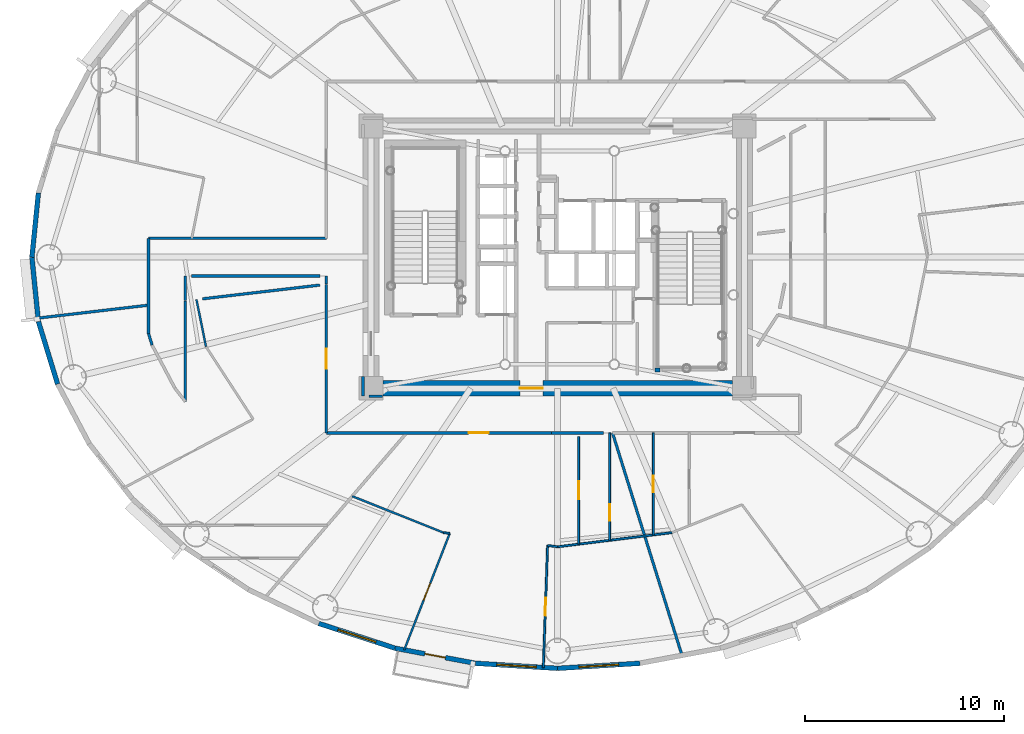
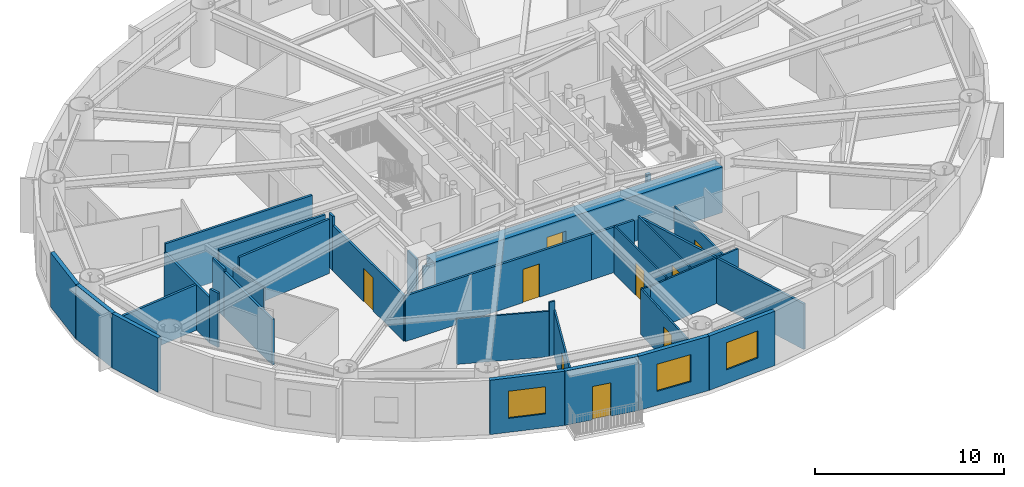
# One storey, part 6 of 17: 34 walls, 9 doors, 3 windows, 12 openings.
"""IFC4 building model written with IfcOpenShell, lengths in metres."""

import ifcopenshell
import ifcopenshell.guid

model = None  # the IFC model being written
_history = None  # IfcOwnerHistory: only IFC2X3 demands one
_inside = {}  # id of a spatial element -> (the spatial element, [elements in it])
_under = {}  # id of a project, library or spatial element -> (it, [spatial elements below it])
_declared = {}  # id of a project -> (the project, [libraries it declares])
_typed = {}  # id of a type object -> (the type object, [elements of that type])
_made_of = {}  # id of a material, layer set ... -> (it, [elements and type objects made of it])


def new_model(schema):
    """Start an empty IFC model of exactly this schema.

    Asked for "IFC4X3", IfcOpenShell would pick the latest addendum, in which some entities
    have other attributes; the version numbers below select the first issue.
    IFC2X3 requires an IfcOwnerHistory on every rooted entity: one is made here for all.
    """
    global model, _history
    if schema == "IFC4X3":
        model = ifcopenshell.file(schema_version=(4, 3, 0, 0))
    else:
        model = ifcopenshell.file(schema=schema)
    _inside.clear()
    _under.clear()
    _declared.clear()
    _typed.clear()
    _made_of.clear()
    _history = None
    if model.schema == "IFC2X3":
        org = make("IfcOrganization", Name="unknown")
        user = make(
            "IfcPersonAndOrganization",
            ThePerson=make("IfcPerson", FamilyName="unknown"),
            TheOrganization=org,
        )
        app = make(
            "IfcApplication",
            ApplicationDeveloper=org,
            Version="unknown",
            ApplicationFullName="unknown",
            ApplicationIdentifier="unknown",
        )
        _history = make(
            "IfcOwnerHistory",
            OwningUser=user,
            OwningApplication=app,
            ChangeAction="ADDED",
            CreationDate=0,
        )
    return model


def make(cls, **values):
    """One entity of the class cls with the attributes given. An attribute that is None is left unset."""
    return model.create_entity(
        cls, **{name: value for name, value in values.items() if value is not None}
    )


def rooted(cls, **values):
    """An entity with a GlobalId (a new one), such as an element, a storey or a relation."""
    return make(cls, GlobalId=ifcopenshell.guid.new(), OwnerHistory=_history, **values)


def si_unit(unit_type, name, prefix=None):
    """IfcSIUnit, for example si_unit("LENGTHUNIT", "METRE", prefix="MILLI")."""
    return make("IfcSIUnit", UnitType=unit_type, Prefix=prefix, Name=name)


def assignment(units):
    """IfcUnitAssignment: the units of a project."""
    return None if units is None else make("IfcUnitAssignment", Units=units)


def point(xyz):
    """IfcCartesianPoint."""
    return None if xyz is None else make("IfcCartesianPoint", Coordinates=xyz)


def direction(xyz):
    """IfcDirection."""
    return None if xyz is None else make("IfcDirection", DirectionRatios=xyz)


def frame(location, z_axis=None, x_axis=None):
    """IfcAxis2Placement3D, a coordinate frame: its origin and axes. An axis left out is left unset."""
    return make(
        "IfcAxis2Placement3D",
        Location=point(location),
        Axis=direction(z_axis),
        RefDirection=direction(x_axis),
    )


def frame_2d(location, x_axis=None):
    """IfcAxis2Placement2D, a coordinate frame in the plane: its origin and x axis."""
    return make(
        "IfcAxis2Placement2D", Location=point(location), RefDirection=direction(x_axis)
    )


def origin():
    """The frame at (0, 0, 0) with its axes left unset."""
    return frame((0.0, 0.0, 0.0))


def origin_2d():
    """The frame at (0, 0) in the plane with its x axis left unset."""
    return frame_2d((0.0, 0.0))


def place(relative_to, where):
    """IfcLocalPlacement: puts the frame where relative to a parent placement (None: the world)."""
    return make(
        "IfcLocalPlacement", PlacementRelTo=relative_to, RelativePlacement=where
    )


def context(
    kind, dimensions, precision=None, world=None, true_north=None, identifier=None
):
    """IfcGeometricRepresentationContext, for example the 3D "Model" context."""
    return make(
        "IfcGeometricRepresentationContext",
        ContextIdentifier=identifier,
        ContextType=kind,
        CoordinateSpaceDimension=dimensions,
        Precision=precision,
        WorldCoordinateSystem=world,
        TrueNorth=true_north,
    )


def subcontext(parent, identifier, kind, view, scale=None):
    """IfcGeometricRepresentationSubContext, for example "Body" below "Model"."""
    return make(
        "IfcGeometricRepresentationSubContext",
        ContextIdentifier=identifier,
        ContextType=kind,
        ParentContext=parent,
        TargetScale=scale,
        TargetView=view,
    )


def project(units=None, contexts=None):
    """IfcProject with its units and contexts."""
    return rooted(
        "IfcProject",
        Name="project",
        RepresentationContexts=contexts,
        UnitsInContext=assignment(units),
    )


def spatial(cls, under=None, at=None, **own):
    """A site, building, storey or space (cls), placed at a placement, below another one or the project."""
    s = rooted(cls, ObjectPlacement=at, **own)
    if under is not None:
        _under.setdefault(under.id(), (under, []))[1].append(s)
    return s


def profile(cls, at=None, kind="AREA", **sizes):
    """A parametric profile (cls). Its sizes go by their IFC names, for example OverallWidth=200.0."""
    return make(cls, ProfileType=kind, Position=at, **sizes)


def rectangle(**sizes):
    """IfcRectangleProfileDef."""
    return profile("IfcRectangleProfileDef", **sizes)


def extrude(swept, where, along, depth):
    """IfcExtrudedAreaSolid: the profile swept, set in the frame where, extruded along a direction by depth."""
    return make(
        "IfcExtrudedAreaSolid",
        SweptArea=swept,
        Position=where,
        ExtrudedDirection=direction(along),
        Depth=depth,
    )


def shape(context_of_items, identifier, shape_type, items):
    """IfcShapeRepresentation: the items that make up one representation, for example the "Body"."""
    return make(
        "IfcShapeRepresentation",
        ContextOfItems=context_of_items,
        RepresentationIdentifier=identifier,
        RepresentationType=shape_type,
        Items=items,
    )


def source(mapping_origin, context_of_items, identifier, shape_type, items):
    """IfcRepresentationMap: a shape defined once, which mapped items show again and again."""
    return make(
        "IfcRepresentationMap",
        MappingOrigin=mapping_origin,
        MappedRepresentation=shape(context_of_items, identifier, shape_type, items),
    )


def transform(
    local_origin,
    x_axis=None,
    y_axis=None,
    z_axis=None,
    scale=None,
    scale2=None,
    scale3=None,
    uniform=True,
):
    """IfcCartesianTransformationOperator3D, or its non-uniform kind. x_axis, y_axis, z_axis: its Axis1, 2, 3."""
    if uniform:
        return make(
            "IfcCartesianTransformationOperator3D",
            Axis1=direction(x_axis),
            Axis2=direction(y_axis),
            LocalOrigin=point(local_origin),
            Scale=scale,
            Axis3=direction(z_axis),
        )
    return make(
        "IfcCartesianTransformationOperator3DnonUniform",
        Axis1=direction(x_axis),
        Axis2=direction(y_axis),
        LocalOrigin=point(local_origin),
        Scale=scale,
        Axis3=direction(z_axis),
        Scale2=scale2,
        Scale3=scale3,
    )


def mapped(mapping_source, mapping_target):
    """IfcMappedItem: shows the shape of a source again, moved by a transform."""
    return make(
        "IfcMappedItem", MappingSource=mapping_source, MappingTarget=mapping_target
    )


def material(Name=None, Category=None):
    """IfcMaterial."""
    return make("IfcMaterial", Name=Name, Category=Category)


def layer(
    of_material, thickness, ventilated=None, Name=None, Category=None, Priority=None
):
    """IfcMaterialLayer: one layer of a wall or slab, of a material (None: an air gap)."""
    return make(
        "IfcMaterialLayer",
        Material=of_material,
        LayerThickness=thickness,
        IsVentilated=ventilated,
        Name=Name,
        Category=Category,
        Priority=Priority,
    )


def layer_set(layers, Name=None):
    """IfcMaterialLayerSet."""
    return make("IfcMaterialLayerSet", MaterialLayers=layers, LayerSetName=Name)


def made_of(thing, what):
    """Note that an element or type object is made of a material, layer set ...; save() writes the relation."""
    if what is not None:
        _made_of.setdefault(what.id(), (what, []))[1].append(thing)
    return thing


def type_object(cls, material=None, **own):
    """A type object (cls), such as IfcWallType, which elements share."""
    return made_of(rooted(cls, **own), material)


def element(
    cls,
    number,
    at=None,
    inside=None,
    cuts=None,
    type_object=None,
    material=None,
    context=None,
    identifier="Body",
    shape_type=None,
    held_by="IfcProductDefinitionShape",
    body=None,
    shapes=None,
    **own,
):
    """One element of the class cls, such as IfcWall. Its Tag is "e" and its number.

    at: its placement. inside: the storey or other place that contains it. cuts: it is an
    opening in that element (IfcRelVoidsElement). A single representation is given by context,
    identifier, shape_type and body (its items); several are given by shapes. held_by: the class
    of the entity that holds the representations. save() writes the other relations.
    """
    e = rooted(cls, Tag="e%d" % number, ObjectPlacement=at, **own)
    if body is not None:
        shapes = [shape(context, identifier, shape_type, body)]
    if shapes is not None:
        e.Representation = make(held_by, Representations=shapes)
    if inside is not None:
        _inside.setdefault(inside.id(), (inside, []))[1].append(e)
    if cuts is not None:
        rooted(
            "IfcRelVoidsElement", RelatingBuildingElement=cuts, RelatedOpeningElement=e
        )
    if type_object is not None:
        _typed.setdefault(type_object.id(), (type_object, []))[1].append(e)
    return made_of(e, material)


def fill(opening, filler):
    """IfcRelFillsElement: the door or window that sits in an opening."""
    return rooted(
        "IfcRelFillsElement",
        RelatingOpeningElement=opening,
        RelatedBuildingElement=filler,
    )


def aggregate(whole, parts):
    """IfcRelAggregates: a whole, such as a stair, and the parts it consists of."""
    return rooted("IfcRelAggregates", RelatingObject=whole, RelatedObjects=parts)


def save(model, path):
    """Write the relations noted so far, then the file.

    IfcRelAggregates (storeys below a building ...), IfcRelContainedInSpatialStructure (elements
    in a storey), IfcRelDefinesByType, IfcRelAssociatesMaterial and IfcRelDeclares: one each for
    every whole, place, type object, material and project.
    """
    for whole, parts in _under.values():
        aggregate(whole, parts)
    for where, things in _inside.values():
        rooted(
            "IfcRelContainedInSpatialStructure",
            RelatedElements=things,
            RelatingStructure=where,
        )
    for kind, things in _typed.values():
        rooted("IfcRelDefinesByType", RelatedObjects=things, RelatingType=kind)
    for what, things in _made_of.values():
        rooted("IfcRelAssociatesMaterial", RelatedObjects=things, RelatingMaterial=what)
    for by, libraries in _declared.values():
        rooted("IfcRelDeclares", RelatingContext=by, RelatedDefinitions=libraries)
    model.write(path)


model = new_model("IFC4")

# Units and contexts
model_context = context("Model", 3, precision=1e-05, world=origin(), true_north=direction((0.0, 1.0)))
body_context = subcontext(model_context, "Body", "Model", "MODEL_VIEW")
ifc_project = project(units=[si_unit("LENGTHUNIT", "METRE"), si_unit("AREAUNIT", "SQUARE_METRE"), si_unit("VOLUMEUNIT", "CUBIC_METRE"), si_unit("PLANEANGLEUNIT", "RADIAN"), si_unit("MASSUNIT", "GRAM", prefix="KILO")], contexts=[model_context])

# Site, building, storey
site_placement = place(None, origin())
site = spatial("IfcSite", under=ifc_project, at=site_placement, CompositionType="ELEMENT")
building_placement = place(site_placement, origin())
building = spatial("IfcBuilding", under=site, at=building_placement, Name="Linh Dai School and Residence Tower", CompositionType="ELEMENT")
storey_placement = place(building_placement, frame((0.0, 0.0, 182.39990234375)))
storey = spatial("IfcBuildingStorey", under=building, at=storey_placement, Name="L44", CompositionType="ELEMENT", Elevation=182.39990234375)

# Walls
ifc_material_1 = material(Name="Precast Concrete B45 (C35/45)", Category="concrete")
ifc_layer_1 = layer(ifc_material_1, 0.239990234375)
ifc_layer_set_1 = layer_set([ifc_layer_1], Name="Precast Concrete B45 (C35/45)")
wall_type_1 = type_object("IfcWallType", Name="EW-TC-240", PredefinedType="SOLIDWALL", material=ifc_layer_set_1)
for number, where, z_axis, x_axis, name in (
    (1, (9.52490234375, 27.0, 0.0), (0.0, 0.0, 1.0), (0.100061534614, 0.994981250723, 0.0), "L44 Terracotta Exterior Wall 20"),
    (2, (9.85009765625, 23.766357421875, 0.0), (0.0, 0.0, 1.0), (-0.100061534614, 0.994981250723, 0.0), "L44 Terracotta Exterior Wall 21"),
):
    element("IfcWall", number, at=place(storey_placement, frame(where, z_axis=z_axis, x_axis=x_axis)), inside=storey, type_object=wall_type_1, Name=name, PredefinedType="SOLIDWALL", context=body_context, shape_type="SweptSolid", body=[
        extrude(rectangle(XDim=3.25, YDim=0.239990234375, at=frame_2d((1.625, 0.0))), origin(), (0.0, 0.0, 1.0), 3.5),
    ])
wall_1_placement = place(storey_placement, frame((10.8173828125, 20.611083984375, 0.0), z_axis=(0.0, 0.0, 1.0), x_axis=(-0.293097995113, 0.956082405058, 0.0)))
element("IfcWall", 3, at=wall_1_placement, inside=storey, type_object=wall_type_1, Name="L44 Terracotta Exterior Wall 22", PredefinedType="SOLIDWALL", context=body_context, shape_type="SweptSolid", body=[
    extrude(rectangle(XDim=3.30029296875, YDim=0.239990234375, at=frame_2d((1.650146484375, 0.0))), origin(), (0.0, 0.0, 1.0), 3.5),
])

# Wall, opening, window
wall_2_placement = place(storey_placement, frame((27.81103515625, 7.310546875, 0.0), z_axis=(0.0, 0.0, 1.0), x_axis=(-0.951209870236, 0.30854462038, 0.0)))
wall_2 = element("IfcWall", 4, at=wall_2_placement, inside=storey, type_object=wall_type_1, Name="L44 Terracotta Exterior Wall 28", PredefinedType="SOLIDWALL", context=body_context, shape_type="SweptSolid", body=[
    extrude(rectangle(XDim=4.037841796875, YDim=0.239990234375, at=frame_2d((2.01904296875, 0.0))), origin(), (0.0, 0.0, 1.0), 3.5),
])
opening_1_placement = place(wall_2_placement, frame((1.018798828125, 0.0, 0.89990234375)))
opening_1 = element("IfcOpeningElement", 5, at=opening_1_placement, cuts=wall_2, Name="Opening W1", PredefinedType="OPENING", context=body_context, shape_type="SweptSolid", body=[
    extrude(rectangle(XDim=2.0, YDim=1.75, at=origin_2d()), frame((1.0, 0.1298828125, 0.875), z_axis=(0.0, -1.0, 0.0), x_axis=(1.0, 0.0, 0.0)), (0.0, 0.0, 1.0), 0.260009765625),
])
ifc_material_2 = material(Name="Double Low-E Insulated Glazing", Category="glass")
window_type = type_object("IfcWindowType", Name="WN-RES-2000x1750", PartitioningType="DOUBLE_PANEL_VERTICAL", PredefinedType="WINDOW", material=ifc_material_2)
shared_shape_1 = source(origin(), body_context, "Body", "SweptSolid", [
    extrude(rectangle(XDim=2.0, YDim=1.75, at=origin_2d()), frame((1.0, 0.030029296875, 0.875), z_axis=(0.0, -1.0, 0.0), x_axis=(1.0, 0.0, 0.0)), (0.0, 0.0, 1.0), 0.06005859375),
])
window_1_placement = place(opening_1_placement, origin())
window_1 = element("IfcWindow", 6, at=window_1_placement, inside=storey, type_object=window_type, Name="L44 Exterior Window 28.1", OverallHeight=1.75, OverallWidth=2.0, PartitioningType="DOUBLE_PANEL_VERTICAL", PredefinedType="WINDOW", context=body_context, shape_type="MappedRepresentation", body=[
    mapped(shared_shape_1, transform((0.0, 0.0, 0.0), x_axis=(1.0, 0.0, 0.0), y_axis=(0.0, 1.0, 0.0), z_axis=(0.0, 0.0, 1.0), scale=1.0)),
])
fill(opening_1, window_1)

# Wall, opening, door
wall_3_placement = place(storey_placement, frame((31.854248046875, 6.550537109375, 0.0), z_axis=(0.0, 0.0, 1.0), x_axis=(-0.982788108205, 0.184736391573, 0.0)))
wall_3 = element("IfcWall", 7, at=wall_3_placement, inside=storey, type_object=wall_type_1, Name="L44 Terracotta Exterior Wall 29", PredefinedType="SOLIDWALL", context=body_context, shape_type="SweptSolid", body=[
    extrude(rectangle(XDim=4.114013671875, YDim=0.239990234375, at=frame_2d((2.05712890625, 0.0))), origin(), (0.0, 0.0, 1.0), 3.5),
])
opening_2_placement = place(wall_3_placement, frame((1.531982421875, 0.0, 0.0)))
opening_2 = element("IfcOpeningElement", 8, at=opening_2_placement, cuts=wall_3, Name="Opening BD1", PredefinedType="OPENING", context=body_context, shape_type="SweptSolid", body=[
    extrude(rectangle(XDim=1.050048828125, YDim=2.14990234375, at=origin_2d()), frame((0.52490234375, 0.1298828125, 1.074951171875), z_axis=(0.0, -1.0, 0.0), x_axis=(1.0, 0.0, 0.0)), (0.0, 0.0, 1.0), 0.260009765625),
])
ifc_material_3 = material(Name="Double-Glazed Balcony Door", Category="glass")
door_type_1 = type_object("IfcDoorType", Name="DR-BALC-1050x2150", OperationType="NOTDEFINED", PredefinedType="DOOR", material=ifc_material_3)
shared_shape_2 = source(origin(), body_context, "Body", "SweptSolid", [
    extrude(rectangle(XDim=1.050048828125, YDim=2.14990234375, at=origin_2d()), frame((0.52490234375, 0.02490234375, 1.074951171875), z_axis=(0.0, -1.0, 0.0), x_axis=(1.0, 0.0, 0.0)), (0.0, 0.0, 1.0), 0.050048828125),
])
door_1_placement = place(opening_2_placement, origin())
door_1 = element("IfcDoor", 9, at=door_1_placement, inside=storey, type_object=door_type_1, Name="L44 Glazed Balcony Door 29", OperationType="SINGLE_SWING_LEFT", OverallHeight=2.14990234375, OverallWidth=1.050048828125, PredefinedType="DOOR", context=body_context, shape_type="MappedRepresentation", body=[
    mapped(shared_shape_2, transform((0.0, 0.0, 0.0), x_axis=(1.0, 0.0, 0.0), y_axis=(0.0, 1.0, 0.0), z_axis=(0.0, 0.0, 1.0), scale=1.0)),
])
fill(opening_2, door_1)

# Wall, opening, window
wall_4_placement = place(storey_placement, frame((36.0, 6.294921875, 0.0), z_axis=(0.0, 0.0, 1.0), x_axis=(-0.998104600619, 0.061540281305, 0.0)))
wall_4 = element("IfcWall", 10, at=wall_4_placement, inside=storey, type_object=wall_type_1, Name="L44 Terracotta Exterior Wall 30", PredefinedType="SOLIDWALL", context=body_context, shape_type="SweptSolid", body=[
    extrude(rectangle(XDim=4.153564453125, YDim=0.239990234375, at=frame_2d((2.07666015625, 0.0))), origin(), (0.0, 0.0, 1.0), 3.5),
])
opening_3_placement = place(wall_4_placement, frame((1.076904296875, 0.0, 0.89990234375)))
opening_3 = element("IfcOpeningElement", 11, at=opening_3_placement, cuts=wall_4, Name="Opening W1", PredefinedType="OPENING", context=body_context, shape_type="SweptSolid", body=[
    extrude(rectangle(XDim=2.0, YDim=1.75, at=origin_2d()), frame((1.0, 0.1298828125, 0.875), z_axis=(0.0, -1.0, 0.0), x_axis=(1.0, 0.0, 0.0)), (0.0, 0.0, 1.0), 0.260009765625),
])
window_2_placement = place(opening_3_placement, origin())
window_2 = element("IfcWindow", 12, at=window_2_placement, inside=storey, type_object=window_type, Name="L44 Exterior Window 30.1", OverallHeight=1.75, OverallWidth=2.0, PartitioningType="DOUBLE_PANEL_VERTICAL", PredefinedType="WINDOW", context=body_context, shape_type="MappedRepresentation", body=[
    mapped(shared_shape_1, transform((0.0, 0.0, 0.0), x_axis=(1.0, 0.0, 0.0), y_axis=(0.0, 1.0, 0.0), z_axis=(0.0, 0.0, 1.0), scale=1.0)),
])
fill(opening_3, window_2)

wall_5_placement = place(storey_placement, frame((40.145751953125, 6.550537109375, 0.0), z_axis=(0.0, 0.0, 1.0), x_axis=(-0.998104600619, -0.061540281305, 0.0)))
wall_5 = element("IfcWall", 13, at=wall_5_placement, inside=storey, type_object=wall_type_1, Name="L44 Terracotta Exterior Wall 31", PredefinedType="SOLIDWALL", context=body_context, shape_type="SweptSolid", body=[
    extrude(rectangle(XDim=4.153564453125, YDim=0.239990234375, at=frame_2d((2.07666015625, 0.0))), origin(), (0.0, 0.0, 1.0), 3.5),
])
opening_4_placement = place(wall_5_placement, frame((1.076904296875, 0.0, 0.89990234375)))
opening_4 = element("IfcOpeningElement", 14, at=opening_4_placement, cuts=wall_5, Name="Opening W1", PredefinedType="OPENING", context=body_context, shape_type="SweptSolid", body=[
    extrude(rectangle(XDim=2.0, YDim=1.75, at=origin_2d()), frame((1.0, 0.1298828125, 0.875), z_axis=(0.0, -1.0, 0.0), x_axis=(1.0, 0.0, 0.0)), (0.0, 0.0, 1.0), 0.260009765625),
])
window_3_placement = place(opening_4_placement, origin())
window_3 = element("IfcWindow", 15, at=window_3_placement, inside=storey, type_object=window_type, Name="L44 Exterior Window 31.1", OverallHeight=1.75, OverallWidth=2.0, PartitioningType="DOUBLE_PANEL_VERTICAL", PredefinedType="WINDOW", context=body_context, shape_type="MappedRepresentation", body=[
    mapped(shared_shape_1, transform((0.0, 0.0, 0.0), x_axis=(1.0, 0.0, 0.0), y_axis=(0.0, 1.0, 0.0), z_axis=(0.0, 0.0, 1.0), scale=1.0)),
])
fill(opening_4, window_3)

# Walls
ifc_material_4 = material(Name="Autoclaved Aerated Concrete Blockwork", Category="masonry")
ifc_layer_2 = layer(ifc_material_4, 0.135009765625)
ifc_layer_set_2 = layer_set([ifc_layer_2], Name="Autoclaved Aerated Concrete Blockwork")
wall_type_2 = type_object("IfcWallType", Name="IW-CORR-135-EI90", PredefinedType="PARTITIONING", material=ifc_layer_set_2)
wall_6_placement = place(storey_placement, frame((9.828369140625, 23.932861328125, 0.0), z_axis=(0.0, 0.0, 1.0), x_axis=(0.993205157511, 0.116376608877, 0.0)))
element("IfcWall", 16, at=wall_6_placement, inside=storey, type_object=wall_type_2, Name="L44 Interior Partition Wall 001", PredefinedType="PARTITIONING", context=body_context, shape_type="SweptSolid", body=[
    extrude(rectangle(XDim=5.609619140625, YDim=0.135009765625, at=frame_2d((2.8046875, 0.0))), origin(), (0.0, 0.0, 1.0), 2.93505859375),
])
wall_7_placement = place(storey_placement, frame((15.39990234375, 23.14599609375, 0.0), z_axis=(0.0, 0.0, 1.0), x_axis=(0.0, 1.0, 0.0)))
element("IfcWall", 17, at=wall_7_placement, inside=storey, type_object=wall_type_2, Name="L44 Interior Partition Wall 007", PredefinedType="PARTITIONING", context=body_context, shape_type="SweptSolid", body=[
    extrude(rectangle(XDim=4.803955078125, YDim=0.135009765625, at=frame_2d((2.40185546875, 0.0))), origin(), (0.0, 0.0, 1.0), 2.93505859375),
])
wall_8_placement = place(storey_placement, frame((15.39990234375, 23.14599609375, 0.0), z_axis=(0.0, 0.0, 1.0), x_axis=(0.293335154151, -0.956009669061, 0.0)))
element("IfcWall", 18, at=wall_8_placement, inside=storey, type_object=wall_type_2, Name="L44 Interior Partition Wall 008", PredefinedType="PARTITIONING", context=body_context, shape_type="SweptSolid", body=[
    extrude(rectangle(XDim=0.59423828125, YDim=0.135009765625, at=frame_2d((0.297119140625, 0.0))), origin(), (0.0, 0.0, 1.0), 3.5),
])
wall_9_placement = place(storey_placement, frame((15.39990234375, 27.949951171875, 0.0), z_axis=(0.0, 0.0, 1.0), x_axis=(1.0, 0.0, 0.0)))
element("IfcWall", 19, at=wall_9_placement, inside=storey, type_object=wall_type_2, Name="L44 Interior Partition Wall 009", PredefinedType="PARTITIONING", context=body_context, shape_type="SweptSolid", body=[
    extrude(rectangle(XDim=8.9501953125, YDim=0.135009765625, at=frame_2d((4.47509765625, 0.0))), origin(), (0.0, 0.0, 1.0), 3.5),
])
wall_10_placement = place(storey_placement, frame((17.25, 19.734375, 0.0), z_axis=(0.0, 0.0, 1.0), x_axis=(0.0, 1.0, 0.0)))
element("IfcWall", 20, at=wall_10_placement, inside=storey, type_object=wall_type_2, Name="L44 Interior Partition Wall 013", PredefinedType="PARTITIONING", context=body_context, shape_type="SweptSolid", body=[
    extrude(rectangle(XDim=5.068359375, YDim=0.135009765625, at=frame_2d((2.5341796875, 0.0))), origin(), (0.0, 0.0, 1.0), 2.93505859375),
])

# Wall, opening, door
wall_11_placement = place(storey_placement, frame((24.35009765625, 18.14990234375, 0.0), z_axis=(0.0, 0.0, 1.0), x_axis=(0.0, 1.0, 0.0)))
wall_11 = element("IfcWall", 21, at=wall_11_placement, inside=storey, type_object=wall_type_2, Name="L44 Interior Partition Wall 021", PredefinedType="PARTITIONING", context=body_context, shape_type="SweptSolid", body=[
    extrude(rectangle(XDim=7.48486328125, YDim=0.135009765625, at=frame_2d((3.742431640625, 0.0))), origin(), (0.0, 0.0, 1.0), 2.93505859375),
])
opening_5_placement = place(wall_11_placement, frame((3.2421875, 0.0, 0.0)))
opening_5 = element("IfcOpeningElement", 22, at=opening_5_placement, cuts=wall_11, Name="Opening D03", PredefinedType="OPENING", context=body_context, shape_type="SweptSolid", body=[
    extrude(rectangle(XDim=1.0, YDim=2.14990234375, at=origin_2d()), frame((0.5, 0.07763671875, 1.074951171875), z_axis=(0.0, -1.0, 0.0), x_axis=(1.0, 0.0, 0.0)), (0.0, 0.0, 1.0), 0.155029296875),
])
ifc_material_5 = material(Name="Fire-Rated Solid Timber Entrance Door", Category="wood")
door_type_2 = type_object("IfcDoorType", Name="DR-FLAT-1000x2150-FD60S", OperationType="NOTDEFINED", PredefinedType="DOOR", material=ifc_material_5)
shared_shape_3 = source(origin(), body_context, "Body", "SweptSolid", [
    extrude(rectangle(XDim=1.0, YDim=2.14990234375, at=origin_2d()), frame((0.5, 0.02490234375, 1.074951171875), z_axis=(0.0, -1.0, 0.0), x_axis=(1.0, 0.0, 0.0)), (0.0, 0.0, 1.0), 0.050048828125),
])
door_2_placement = place(opening_5_placement, origin())
door_2 = element("IfcDoor", 23, at=door_2_placement, inside=storey, type_object=door_type_2, Name="L44 U4404 Apartment Entrance Door", OperationType="SINGLE_SWING_RIGHT", OverallHeight=2.14990234375, OverallWidth=1.0, PredefinedType="DOOR", context=body_context, shape_type="MappedRepresentation", body=[
    mapped(shared_shape_3, transform((0.0, 0.0, 0.0), x_axis=(1.0, 0.0, 0.0), y_axis=(0.0, 1.0, 0.0), z_axis=(0.0, 0.0, 1.0), scale=1.0)),
])
fill(opening_5, door_2)

wall_12_placement = place(storey_placement, frame((24.35009765625, 18.14990234375, 0.0), z_axis=(0.0, 0.0, 1.0), x_axis=(1.0, 0.0, 0.0)))
wall_12 = element("IfcWall", 24, at=wall_12_placement, inside=storey, type_object=wall_type_2, Name="L44 Interior Partition Wall 022", PredefinedType="PARTITIONING", context=body_context, shape_type="SweptSolid", body=[
    extrude(rectangle(XDim=11.3408203125, YDim=0.135009765625, at=frame_2d((5.67041015625, 0.0))), origin(), (0.0, 0.0, 1.0), 2.93505859375),
])
opening_6_placement = place(wall_12_placement, frame((7.17138671875, 0.0, 0.0)))
opening_6 = element("IfcOpeningElement", 25, at=opening_6_placement, cuts=wall_12, Name="Opening D03", PredefinedType="OPENING", context=body_context, shape_type="SweptSolid", body=[
    extrude(rectangle(XDim=1.0, YDim=2.14990234375, at=origin_2d()), frame((0.5, 0.07763671875, 1.074951171875), z_axis=(0.0, -1.0, 0.0), x_axis=(1.0, 0.0, 0.0)), (0.0, 0.0, 1.0), 0.155029296875),
])
door_3_placement = place(opening_6_placement, origin())
door_3 = element("IfcDoor", 26, at=door_3_placement, inside=storey, type_object=door_type_2, Name="L44 U4405 Apartment Entrance Door", OperationType="SINGLE_SWING_RIGHT", OverallHeight=2.14990234375, OverallWidth=1.0, PredefinedType="DOOR", context=body_context, shape_type="MappedRepresentation", body=[
    mapped(shared_shape_3, transform((0.0, 0.0, 0.0), x_axis=(1.0, 0.0, 0.0), y_axis=(0.0, 1.0, 0.0), z_axis=(0.0, 0.0, 1.0), scale=1.0)),
])
fill(opening_6, door_3)

# Walls
wall_13_placement = place(storey_placement, frame((38.763671875, 18.14990234375, 0.0), z_axis=(0.0, 0.0, 1.0), x_axis=(0.298084348379, -0.954539533624, 0.0)))
element("IfcWall", 27, at=wall_13_placement, inside=storey, type_object=wall_type_2, Name="L44 Interior Partition Wall 064", PredefinedType="PARTITIONING", context=body_context, shape_type="SweptSolid", body=[
    extrude(rectangle(XDim=11.739990234375, YDim=0.135009765625, at=frame_2d((5.8701171875, 0.0))), origin(), (0.0, 0.0, 1.0), 2.93505859375),
])
wall_14_placement = place(storey_placement, frame((17.25, 26.050048828125, 0.0), z_axis=(0.0, 0.0, 1.0), x_axis=(0.0, -1.0, 0.0)))
element("IfcWall", 28, at=wall_14_placement, inside=storey, type_object=wall_type_2, Name="L44 Interior Partition Wall 105", PredefinedType="PARTITIONING", context=body_context, shape_type="SweptSolid", body=[
    extrude(rectangle(XDim=1.237548828125, YDim=0.135009765625, at=frame_2d((0.61865234375, 0.0))), origin(), (0.0, 0.0, 1.0), 3.085205078125),
])
wall_15_placement = place(storey_placement, frame((26.199951171875, 20.989990234375, 0.0), z_axis=(0.0, 0.0, 1.0), x_axis=(0.0, -1.0, 0.0)))
element("IfcWall", 29, at=wall_15_placement, inside=storey, type_object=wall_type_2, Name="L44 Interior Partition Wall 111", PredefinedType="PARTITIONING", context=body_context, shape_type="SweptSolid", body=[
    extrude(rectangle(XDim=0.989990234375, YDim=0.135009765625, at=frame_2d((0.4951171875, 0.0))), origin(), (0.0, 0.0, 1.0), 3.5),
])
wall_16_placement = place(storey_placement, frame((26.507568359375, 20.0, 0.0), z_axis=(0.0, 0.0, 1.0), x_axis=(1.0, 0.0, 0.0)))
element("IfcWall", 30, at=wall_16_placement, inside=storey, type_object=wall_type_2, Name="L44 Interior Partition Wall 112", PredefinedType="PARTITIONING", context=body_context, shape_type="SweptSolid", body=[
    extrude(rectangle(XDim=0.682373046875, YDim=0.135009765625, at=frame_2d((0.34130859375, 0.0))), origin(), (0.0, 0.0, 1.0), 2.93505859375),
])
wall_17_placement = place(storey_placement, frame((38.305908203125, 18.14990234375, 0.0), z_axis=(0.0, 0.0, 1.0), x_axis=(-1.0, 0.0, 0.0)))
element("IfcWall", 31, at=wall_17_placement, inside=storey, type_object=wall_type_2, Name="L44 Interior Partition Wall 114", PredefinedType="PARTITIONING", context=body_context, shape_type="SweptSolid", body=[
    extrude(rectangle(XDim=2.60498046875, YDim=0.135009765625, at=frame_2d((1.302490234375, 0.0))), origin(), (0.0, 0.0, 1.0), 2.93505859375),
])
wall_18_placement = place(storey_placement, frame((24.35009765625, 25.644775390625, 0.0), z_axis=(0.0, 0.0, 1.0), x_axis=(0.0, 1.0, 0.0)))
element("IfcWall", 32, at=wall_18_placement, inside=storey, type_object=wall_type_2, Name="L44 Interior Partition Wall 115", PredefinedType="PARTITIONING", context=body_context, shape_type="SweptSolid", body=[
    extrude(rectangle(XDim=0.4052734375, YDim=0.135009765625, at=frame_2d((0.20263671875, 0.0))), origin(), (0.0, 0.0, 1.0), 3.5),
])
wall_19_placement = place(storey_placement, frame((24.04248046875, 26.050048828125, 0.0), z_axis=(0.0, 0.0, 1.0), x_axis=(-1.0, 0.0, 0.0)))
element("IfcWall", 33, at=wall_19_placement, inside=storey, type_object=wall_type_2, Name="L44 Interior Partition Wall 116", PredefinedType="PARTITIONING", context=body_context, shape_type="SweptSolid", body=[
    extrude(rectangle(XDim=6.48486328125, YDim=0.135009765625, at=frame_2d((3.242431640625, 0.0))), origin(), (0.0, 0.0, 1.0), 3.5),
])
wall_20_placement = place(storey_placement, frame((18.1201171875, 24.904541015625, 0.0), z_axis=(0.0, 0.0, 1.0), x_axis=(0.993204061109, 0.116385965632, 0.0)))
element("IfcWall", 34, at=wall_20_placement, inside=storey, type_object=wall_type_2, Name="L44 Interior Partition Wall 118", PredefinedType="PARTITIONING", context=body_context, shape_type="SweptSolid", body=[
    extrude(rectangle(XDim=5.942626953125, YDim=0.135009765625, at=frame_2d((2.97119140625, 0.0))), origin(), (0.0, 0.0, 1.0), 3.5),
])
ifc_material_6 = material(Name="Concrete B45 (C35/45)", Category="concrete")
ifc_layer_3 = layer(ifc_material_6, 0.199951171875)
ifc_layer_set_3 = layer_set([ifc_layer_3], Name="Concrete B45 (C35/45)")
wall_type_3 = type_object("IfcWallType", Name="IW-SHAFT-200-EI120", PredefinedType="PARTITIONING", material=ifc_layer_set_3)
wall_21_placement = place(storey_placement, frame((40.89990234375, 21.330078125, 0.0), z_axis=(0.0, 0.0, 1.0), x_axis=(1.0, 0.0, 0.0)))
element("IfcWall", 35, at=wall_21_placement, inside=storey, type_object=wall_type_3, Name="L44 Interior Partition Wall 074", PredefinedType="PARTITIONING", context=body_context, shape_type="SweptSolid", body=[
    extrude(rectangle(XDim=0.25, YDim=0.199951171875, at=frame_2d((0.125, 0.0))), origin(), (0.0, 0.0, 1.0), 3.03515625),
])
ifc_material_7 = material(Name="Gypsum Plasterboard Acoustic Stud Partition", Category="masonry")
ifc_layer_4 = layer(ifc_material_7, 0.10009765625)
ifc_layer_set_4 = layer_set([ifc_layer_4], Name="Gypsum Plasterboard Acoustic Stud Partition")
wall_type_4 = type_object("IfcWallType", Name="IW-UNIT-100", PredefinedType="PARTITIONING", material=ifc_layer_set_4)
wall_22_placement = place(storey_placement, frame((17.81103515625, 24.868408203125, 0.0), z_axis=(0.0, 0.0, 1.0), x_axis=(0.198247700743, -0.980151952072, 0.0)))
element("IfcWall", 36, at=wall_22_placement, inside=storey, type_object=wall_type_4, Name="L44 Interior Partition Wall 015", PredefinedType="PARTITIONING", context=body_context, shape_type="SweptSolid", body=[
    extrude(rectangle(XDim=2.42236328125, YDim=0.10009765625, at=frame_2d((1.211181640625, 0.0))), origin(), (0.0, 0.0, 1.0), 2.93505859375),
])
wall_23_placement = place(storey_placement, frame((25.654052734375, 14.96484375, 0.0), z_axis=(0.0, 0.0, 1.0), x_axis=(0.928793067963, -0.370598754589, 0.0)))
element("IfcWall", 37, at=wall_23_placement, inside=storey, type_object=wall_type_4, Name="L44 Interior Partition Wall 026", PredefinedType="PARTITIONING", context=body_context, shape_type="SweptSolid", body=[
    extrude(rectangle(XDim=4.944091796875, YDim=0.10009765625, at=frame_2d((2.47216796875, 0.0))), origin(), (0.0, 0.0, 1.0), 2.93505859375),
])

# Wall, opening, door
wall_24_placement = place(storey_placement, frame((28.27099609375, 7.218994140625, 0.0), z_axis=(0.0, 0.0, 1.0), x_axis=(0.363936593544, 0.931423725207, 0.0)))
wall_24 = element("IfcWall", 38, at=wall_24_placement, inside=storey, type_object=wall_type_4, Name="L44 Interior Partition Wall 028", PredefinedType="PARTITIONING", context=body_context, shape_type="SweptSolid", body=[
    extrude(rectangle(XDim=6.306396484375, YDim=0.10009765625, at=frame_2d((3.1533203125, 0.0))), origin(), (0.0, 0.0, 1.0), 2.93505859375),
])
opening_7_placement = place(wall_24_placement, frame((2.703125, 0.0, 0.0)))
opening_7 = element("IfcOpeningElement", 39, at=opening_7_placement, cuts=wall_24, Name="Opening D05", PredefinedType="OPENING", context=body_context, shape_type="SweptSolid", body=[
    extrude(rectangle(XDim=0.89990234375, YDim=2.10009765625, at=origin_2d()), frame((0.449951171875, 0.06005859375, 1.050048828125), z_axis=(0.0, -1.0, 0.0), x_axis=(1.0, 0.0, 0.0)), (0.0, 0.0, 1.0), 0.1201171875),
])
ifc_material_8 = material(Name="Engineered Timber Internal Door", Category="wood")
door_type_3 = type_object("IfcDoorType", Name="DR-INT-900x2100", OperationType="NOTDEFINED", PredefinedType="DOOR", material=ifc_material_8)
shared_shape_4 = source(origin(), body_context, "Body", "SweptSolid", [
    extrude(rectangle(XDim=0.89990234375, YDim=2.10009765625, at=origin_2d()), frame((0.449951171875, 0.02490234375, 1.050048828125), z_axis=(0.0, -1.0, 0.0), x_axis=(1.0, 0.0, 0.0)), (0.0, 0.0, 1.0), 0.050048828125),
])
door_4_placement = place(opening_7_placement, origin())
door_4 = element("IfcDoor", 40, at=door_4_placement, inside=storey, type_object=door_type_3, Name="L44 Apartment U4405 Principal Bedroom 1 Door", OperationType="SINGLE_SWING_LEFT", OverallHeight=2.10009765625, OverallWidth=0.89990234375, PredefinedType="DOOR", context=body_context, shape_type="MappedRepresentation", body=[
    mapped(shared_shape_4, transform((0.0, 0.0, 0.0), x_axis=(1.0, 0.0, 0.0), y_axis=(0.0, 1.0, 0.0), z_axis=(0.0, 0.0, 1.0), scale=1.0)),
])
fill(opening_7, door_4)

# Wall
wall_25_placement = place(storey_placement, frame((30.24609375, 13.132568359375, 0.0), z_axis=(0.0, 0.0, 1.0), x_axis=(0.992451589144, -0.122637038475, 0.0)))
element("IfcWall", 41, at=wall_25_placement, inside=storey, type_object=wall_type_4, Name="L44 Interior Partition Wall 030", PredefinedType="PARTITIONING", context=body_context, shape_type="SweptSolid", body=[
    extrude(rectangle(XDim=0.322509765625, YDim=0.10009765625, at=frame_2d((0.1611328125, 0.0))), origin(), (0.0, 0.0, 1.0), 3.5),
])

# Wall, opening, door
wall_26_placement = place(storey_placement, frame((35.2783203125, 6.33447265625, 0.0), z_axis=(0.0, 0.0, 1.0), x_axis=(0.034887406989, 0.999391249128, 0.0)))
wall_26 = element("IfcWall", 42, at=wall_26_placement, inside=storey, type_object=wall_type_4, Name="L44 Interior Partition Wall 046", PredefinedType="PARTITIONING", context=body_context, shape_type="SweptSolid", body=[
    extrude(rectangle(XDim=6.151123046875, YDim=0.10009765625, at=frame_2d((3.07568359375, 0.0))), origin(), (0.0, 0.0, 1.0), 2.93505859375),
])
opening_8_placement = place(wall_26_placement, frame((2.62548828125, 0.0, 0.0)))
opening_8 = element("IfcOpeningElement", 43, at=opening_8_placement, cuts=wall_26, Name="Opening D05", PredefinedType="OPENING", context=body_context, shape_type="SweptSolid", body=[
    extrude(rectangle(XDim=0.89990234375, YDim=2.10009765625, at=origin_2d()), frame((0.449951171875, 0.06005859375, 1.050048828125), z_axis=(0.0, -1.0, 0.0), x_axis=(1.0, 0.0, 0.0)), (0.0, 0.0, 1.0), 0.1201171875),
])
door_5_placement = place(opening_8_placement, origin())
door_5 = element("IfcDoor", 44, at=door_5_placement, inside=storey, type_object=door_type_3, Name="L44 Apartment U4405 Bedroom 2 Door", OperationType="SINGLE_SWING_RIGHT", OverallHeight=2.10009765625, OverallWidth=0.89990234375, PredefinedType="DOOR", context=body_context, shape_type="MappedRepresentation", body=[
    mapped(shared_shape_4, transform((0.0, 0.0, 0.0), x_axis=(1.0, 0.0, 0.0), y_axis=(0.0, 1.0, 0.0), z_axis=(0.0, 0.0, 1.0), scale=1.0)),
])
fill(opening_8, door_5)

# Walls
wall_27_placement = place(storey_placement, frame((35.492919921875, 12.48193359375, 0.0), z_axis=(0.0, 0.0, 1.0), x_axis=(0.992373140554, -0.123270231229, 0.0)))
element("IfcWall", 45, at=wall_27_placement, inside=storey, type_object=wall_type_4, Name="L44 Interior Partition Wall 051", PredefinedType="PARTITIONING", context=body_context, shape_type="SweptSolid", body=[
    extrude(rectangle(XDim=0.510986328125, YDim=0.10009765625, at=frame_2d((0.25537109375, 0.0))), origin(), (0.0, 0.0, 1.0), 2.93505859375),
])
wall_28_placement = place(storey_placement, frame((36.0, 12.4189453125, 0.0), z_axis=(0.0, 0.0, 1.0), x_axis=(0.992396615981, 0.123081097612, 0.0)))
element("IfcWall", 46, at=wall_28_placement, inside=storey, type_object=wall_type_4, Name="L44 Interior Partition Wall 054", PredefinedType="PARTITIONING", context=body_context, shape_type="SweptSolid", body=[
    extrude(rectangle(XDim=5.798095703125, YDim=0.10009765625, at=frame_2d((2.89892578125, 0.0))), origin(), (0.0, 0.0, 1.0), 2.93505859375),
])

# Wall, opening, door
wall_29_placement = place(storey_placement, frame((37.060546875, 12.550537109375, 0.0), z_axis=(0.0, 0.0, 1.0), x_axis=(0.0, 1.0, 0.0)))
wall_29 = element("IfcWall", 47, at=wall_29_placement, inside=storey, type_object=wall_type_4, Name="L44 Interior Partition Wall 058", PredefinedType="PARTITIONING", context=body_context, shape_type="SweptSolid", body=[
    extrude(rectangle(XDim=5.415771484375, YDim=0.10009765625, at=frame_2d((2.7080078125, 0.0))), origin(), (0.0, 0.0, 1.0), 3.085205078125),
])
opening_9_placement = place(wall_29_placement, frame((2.2578125, 0.0, 0.0)))
opening_9 = element("IfcOpeningElement", 48, at=opening_9_placement, cuts=wall_29, Name="Opening D05", PredefinedType="OPENING", context=body_context, shape_type="SweptSolid", body=[
    extrude(rectangle(XDim=0.89990234375, YDim=2.10009765625, at=origin_2d()), frame((0.449951171875, 0.06005859375, 1.050048828125), z_axis=(0.0, -1.0, 0.0), x_axis=(1.0, 0.0, 0.0)), (0.0, 0.0, 1.0), 0.1201171875),
])
door_6_placement = place(opening_9_placement, origin())
door_6 = element("IfcDoor", 49, at=door_6_placement, inside=storey, type_object=door_type_3, Name="L44 Apartment U4405 Kitchen Door", OperationType="SINGLE_SWING_LEFT", OverallHeight=2.10009765625, OverallWidth=0.89990234375, PredefinedType="DOOR", context=body_context, shape_type="MappedRepresentation", body=[
    mapped(shared_shape_4, transform((0.0, 0.0, 0.0), x_axis=(1.0, 0.0, 0.0), y_axis=(0.0, 1.0, 0.0), z_axis=(0.0, 0.0, 1.0), scale=1.0)),
])
fill(opening_9, door_6)

wall_30_placement = place(storey_placement, frame((38.615966796875, 12.743408203125, 0.0), z_axis=(0.0, 0.0, 1.0), x_axis=(0.0, 1.0, 0.0)))
wall_30 = element("IfcWall", 50, at=wall_30_placement, inside=storey, type_object=wall_type_4, Name="L44 Interior Partition Wall 063", PredefinedType="PARTITIONING", context=body_context, shape_type="SweptSolid", body=[
    extrude(rectangle(XDim=5.406494140625, YDim=0.10009765625, at=frame_2d((2.703125, 0.0))), origin(), (0.0, 0.0, 1.0), 3.085205078125),
])
opening_10_placement = place(wall_30_placement, frame((0.9892578125, 0.0, 0.0)))
opening_10 = element("IfcOpeningElement", 51, at=opening_10_placement, cuts=wall_30, Name="Opening D06", PredefinedType="OPENING", context=body_context, shape_type="SweptSolid", body=[
    extrude(rectangle(XDim=0.820068359375, YDim=2.10009765625, at=origin_2d()), frame((0.41015625, 0.06005859375, 1.050048828125), z_axis=(0.0, -1.0, 0.0), x_axis=(1.0, 0.0, 0.0)), (0.0, 0.0, 1.0), 0.1201171875),
])
ifc_material_9 = material(Name="Moisture-Resistant Timber Bathroom Door", Category="wood")
door_type_4 = type_object("IfcDoorType", Name="DR-WET-820x2100", OperationType="NOTDEFINED", PredefinedType="DOOR", material=ifc_material_9)
shared_shape_5 = source(origin(), body_context, "Body", "SweptSolid", [
    extrude(rectangle(XDim=0.820068359375, YDim=2.10009765625, at=origin_2d()), frame((0.41015625, 0.02490234375, 1.050048828125), z_axis=(0.0, -1.0, 0.0), x_axis=(1.0, 0.0, 0.0)), (0.0, 0.0, 1.0), 0.050048828125),
])
door_7_placement = place(opening_10_placement, origin())
door_7 = element("IfcDoor", 52, at=door_7_placement, inside=storey, type_object=door_type_4, Name="L44 Apartment U4405 Bathroom 1 Door", OperationType="SINGLE_SWING_RIGHT", OverallHeight=2.10009765625, OverallWidth=0.820068359375, PredefinedType="DOOR", context=body_context, shape_type="MappedRepresentation", body=[
    mapped(shared_shape_5, transform((0.0, 0.0, 0.0), x_axis=(1.0, 0.0, 0.0), y_axis=(0.0, 1.0, 0.0), z_axis=(0.0, 0.0, 1.0), scale=1.0)),
])
fill(opening_10, door_7)

wall_31_placement = place(storey_placement, frame((40.818603515625, 13.0166015625, 0.0), z_axis=(0.0, 0.0, 1.0), x_axis=(0.0, 1.0, 0.0)))
wall_31 = element("IfcWall", 53, at=wall_31_placement, inside=storey, type_object=wall_type_4, Name="L44 Interior Partition Wall 072", PredefinedType="PARTITIONING", context=body_context, shape_type="SweptSolid", body=[
    extrude(rectangle(XDim=5.13330078125, YDim=0.10009765625, at=frame_2d((2.566650390625, 0.0))), origin(), (0.0, 0.0, 1.0), 2.93505859375),
])
opening_11_placement = place(wall_31_placement, frame((2.15673828125, 0.0, 0.0)))
opening_11 = element("IfcOpeningElement", 54, at=opening_11_placement, cuts=wall_31, Name="Opening D06", PredefinedType="OPENING", context=body_context, shape_type="SweptSolid", body=[
    extrude(rectangle(XDim=0.820068359375, YDim=2.10009765625, at=origin_2d()), frame((0.41015625, 0.06005859375, 1.050048828125), z_axis=(0.0, -1.0, 0.0), x_axis=(1.0, 0.0, 0.0)), (0.0, 0.0, 1.0), 0.1201171875),
])
door_8_placement = place(opening_11_placement, origin())
door_8 = element("IfcDoor", 55, at=door_8_placement, inside=storey, type_object=door_type_4, Name="L44 Apartment U4406 Bathroom 1 Door", OperationType="SINGLE_SWING_LEFT", OverallHeight=2.10009765625, OverallWidth=0.820068359375, PredefinedType="DOOR", context=body_context, shape_type="MappedRepresentation", body=[
    mapped(shared_shape_5, transform((0.0, 0.0, 0.0), x_axis=(1.0, 0.0, 0.0), y_axis=(0.0, 1.0, 0.0), z_axis=(0.0, 0.0, 1.0), scale=1.0)),
])
fill(opening_11, door_8)

ifc_material_10 = material(Name="Concrete B60 (C50/60)", Category="concrete")
ifc_layer_5 = layer(ifc_material_10, 0.800048828125)
ifc_layer_set_5 = layer_set([ifc_layer_5], Name="Concrete B60 (C50/60)")
wall_type_5 = type_object("IfcWallType", Name="WL-CORE800", PredefinedType="SHEAR", material=ifc_layer_set_5)
wall_32_placement = place(storey_placement, frame((44.800048828125, 20.39990234375, 0.0), z_axis=(0.0, 0.0, 1.0), x_axis=(-1.0, 0.0, 0.0)))
wall_32 = element("IfcWall", 56, at=wall_32_placement, inside=storey, type_object=wall_type_5, Name="L44 Central Core Shear Wall S", PredefinedType="SHEAR", context=body_context, shape_type="SweptSolid", body=[
    extrude(rectangle(XDim=17.60009765625, YDim=0.800048828125, at=frame_2d((8.800048828125, 0.0))), origin(), (0.0, 0.0, 1.0), 2.9501953125),
])
opening_12_placement = place(wall_32_placement, frame((9.550048828125, 0.0, 0.0)))
opening_12 = element("IfcOpeningElement", 57, at=opening_12_placement, cuts=wall_32, Name="Opening D02", PredefinedType="OPENING", context=body_context, shape_type="SweptSolid", body=[
    extrude(rectangle(XDim=1.14990234375, YDim=2.14990234375, at=origin_2d()), frame((0.574951171875, 0.41015625, 1.074951171875), z_axis=(0.0, -1.0, 0.0), x_axis=(1.0, 0.0, 0.0)), (0.0, 0.0, 1.0), 0.820068359375),
])
ifc_material_11 = material(Name="Fire-Rated Glazed Steel Lobby Door", Category="steel")
door_type_5 = type_object("IfcDoorType", Name="DR-LOBBY-1150x2150-FD90S", OperationType="NOTDEFINED", PredefinedType="DOOR", material=ifc_material_11)
shared_shape_6 = source(origin(), body_context, "Body", "SweptSolid", [
    extrude(rectangle(XDim=1.14990234375, YDim=2.14990234375, at=origin_2d()), frame((0.574951171875, 0.02490234375, 1.074951171875), z_axis=(0.0, -1.0, 0.0), x_axis=(1.0, 0.0, 0.0)), (0.0, 0.0, 1.0), 0.050048828125),
])
door_9_placement = place(opening_12_placement, origin())
door_9 = element("IfcDoor", 58, at=door_9_placement, inside=storey, type_object=door_type_5, Name="L44 Passenger Foyer Access Door", OperationType="SINGLE_SWING_LEFT", OverallHeight=2.14990234375, OverallWidth=1.14990234375, PredefinedType="DOOR", context=body_context, shape_type="MappedRepresentation", body=[
    mapped(shared_shape_6, transform((0.0, 0.0, 0.0), x_axis=(1.0, 0.0, 0.0), y_axis=(0.0, 1.0, 0.0), z_axis=(0.0, 0.0, 1.0), scale=1.0)),
])
fill(opening_12, door_9)

save(model, "model.ifc")
